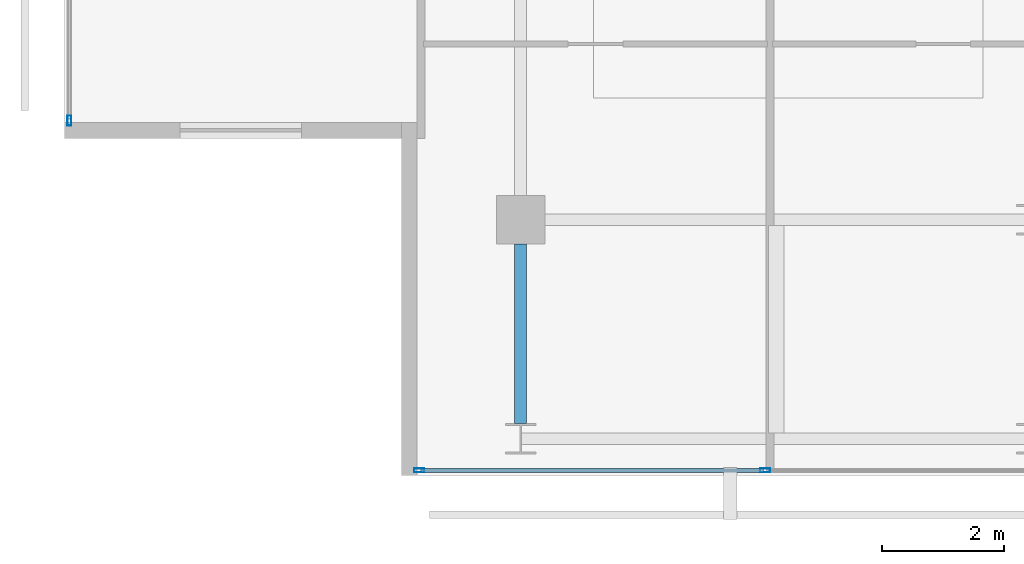
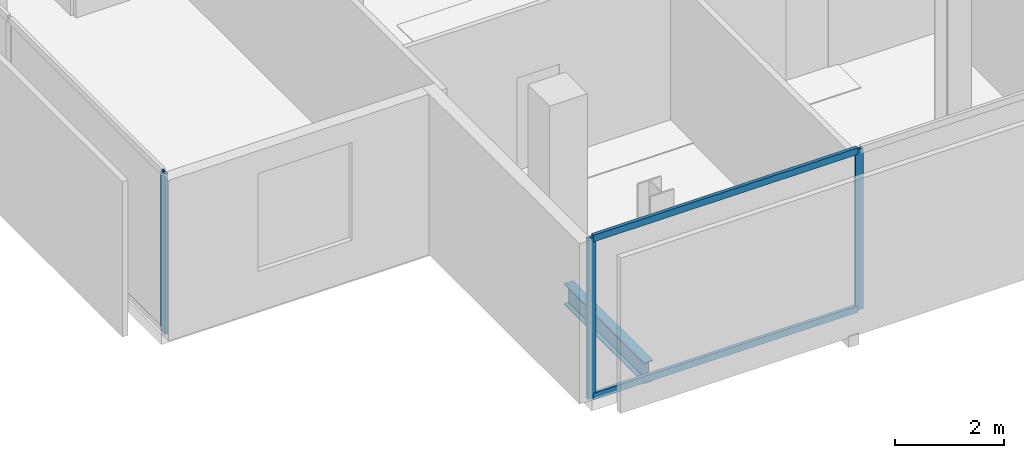
# One storey, part 2 of 24: 5 members, 1 beam, 2 elements without a shape of their own.
"""IFC4 building model written with IfcOpenShell, lengths in metres."""

from ifc_helpers import new_model, si_unit, direction, frame, origin, origin_2d, place, context, subcontext, project, spatial, hollow_rectangle, i_section, extrude, material, layer, layer_set, material_profile, profile_set, type_object, element, aggregate, save


model = new_model("IFC4")

# Units and contexts
model_context = context("Model", 3, precision=1e-05, world=origin(), true_north=direction((0.0, 1.0)))
body_context = subcontext(model_context, "Body", "Model", "MODEL_VIEW")
ifc_project = project(units=[si_unit("LENGTHUNIT", "METRE"), si_unit("AREAUNIT", "SQUARE_METRE"), si_unit("VOLUMEUNIT", "CUBIC_METRE"), si_unit("PLANEANGLEUNIT", "RADIAN"), si_unit("MASSUNIT", "GRAM", prefix="KILO")], contexts=[model_context])

# Site, building, storey
site_placement = place(None, origin())
site = spatial("IfcSite", under=ifc_project, at=site_placement, CompositionType="ELEMENT")
building_placement = place(site_placement, origin())
building = spatial("IfcBuilding", under=site, at=building_placement, Name="Maruvema Waterfront Hotel and Observation Tower", CompositionType="ELEMENT")
storey_placement = place(building_placement, frame((0.0, 0.0, 325.85009765625)))
storey = spatial("IfcBuildingStorey", under=building, at=storey_placement, Name="L80", CompositionType="ELEMENT", Elevation=325.85009765625)

# Curtain wall, members
ifc_material_1 = material(Name="Anodised bronze aluminium and solar-control low-E IGU", Category="aluminium")
ifc_layer = layer(ifc_material_1, 0.159912109375, Name="Zone 4 Sky Residence Inner Curtain Wall System CW-05")
ifc_layer_set = layer_set([ifc_layer], Name="Anodised bronze aluminium and solar-control low-E IGU")
curtain_wall_type = type_object("IfcCurtainWallType", Name="Zone 4 Sky Residence Inner Curtain Wall System CW-05", PredefinedType="USERDEFINED", material=ifc_layer_set)
curtain_wall_1_placement = place(storey_placement, origin())
curtain_wall_1 = element("IfcCurtainWall", 1, at=curtain_wall_1_placement, inside=storey, type_object=curtain_wall_type, Name="L80 Curtain Wall CW-L80-S", ObjectType="UNITISED CURTAIN WALL", PredefinedType="USERDEFINED")
ifc_material_2 = material(Name="Anodised architectural bronze aluminium", Category="aluminium")
ifc_material_profile_1 = material_profile(ifc_material_2, hollow_rectangle(XDim=0.070068359375, YDim=0.14990234375, WallThickness=0.00390625, at=origin_2d()), Name="ALU-T70x150")
ifc_profile_set_1 = profile_set([ifc_material_profile_1], Name="Anodised architectural bronze aluminium")
member_type_1 = type_object("IfcMemberType", Name="Curtain Wall Horizontal Transom ALU-T70x150", PredefinedType="USERDEFINED", material=ifc_profile_set_1)
member_1_placement = place(storey_placement, frame((23.56005859375, 13.8798828125, 0.02978515625), z_axis=(1.0, 0.0, 0.0), x_axis=(0.0, 1.0, 0.0)))
member_1 = element("IfcMember", 2, at=member_1_placement, type_object=member_type_1, Name="CW-05 transom 1.1", ObjectType="TRANSOM", PredefinedType="USERDEFINED", context=body_context, shape_type="SweptSolid", body=[
    extrude(hollow_rectangle(XDim=0.070068359375, YDim=0.14990234375, WallThickness=0.00390625, at=origin_2d()), origin(), (0.0, 0.0, 1.0), 5.6298828125),
])
member_2_placement = place(storey_placement, frame((23.56005859375, 13.8798828125, 3.579833984375), z_axis=(1.0, 0.0, 0.0), x_axis=(0.0, 1.0, 0.0)))
member_2 = element("IfcMember", 3, at=member_2_placement, type_object=member_type_1, Name="CW-05 transom 1.2", ObjectType="TRANSOM", PredefinedType="USERDEFINED", context=body_context, shape_type="SweptSolid", body=[
    extrude(hollow_rectangle(XDim=0.070068359375, YDim=0.14990234375, WallThickness=0.00390625, at=origin_2d()), origin(), (0.0, 0.0, 1.0), 5.6298828125),
])
ifc_material_3 = material(Name="Anodised architectural bronze aluminium", Category="aluminium")
ifc_material_profile_2 = material_profile(ifc_material_3, hollow_rectangle(XDim=0.06494140625, YDim=0.1650390625, WallThickness=0.00390625, at=origin_2d()), Name="ALU-M65x165")
ifc_profile_set_2 = profile_set([ifc_material_profile_2], Name="Anodised architectural bronze aluminium")
member_type_2 = type_object("IfcMemberType", Name="Curtain Wall Primary Mullion ALU-M65x165", PredefinedType="MULLION", material=ifc_profile_set_2)
member_3_placement = place(storey_placement, frame((23.530029296875, 13.8798828125, 0.0), z_axis=(0.0, 0.0, 1.0), x_axis=(0.0, 1.0, 0.0)))
member_3 = element("IfcMember", 4, at=member_3_placement, type_object=member_type_2, Name="CW-05 mullion 1", PredefinedType="MULLION", context=body_context, shape_type="SweptSolid", body=[
    extrude(hollow_rectangle(XDim=0.06494140625, YDim=0.1650390625, WallThickness=0.00390625, at=origin_2d()), origin(), (0.0, 0.0, 1.0), 3.60986328125),
])
member_4_placement = place(storey_placement, frame((29.219970703125, 13.8798828125, 0.0), z_axis=(0.0, 0.0, 1.0), x_axis=(0.0, 1.0, 0.0)))
member_4 = element("IfcMember", 5, at=member_4_placement, type_object=member_type_2, Name="CW-05 mullion 2", PredefinedType="MULLION", context=body_context, shape_type="SweptSolid", body=[
    extrude(hollow_rectangle(XDim=0.06494140625, YDim=0.1650390625, WallThickness=0.00390625, at=origin_2d()), origin(), (0.0, 0.0, 1.0), 3.60986328125),
])
aggregate(curtain_wall_1, [member_3, member_4, member_1, member_2])

# Curtain wall, member
curtain_wall_2_placement = place(storey_placement, origin())
curtain_wall_2 = element("IfcCurtainWall", 6, at=curtain_wall_2_placement, inside=storey, type_object=curtain_wall_type, Name="L80 Curtain Wall CW-L80-W", ObjectType="UNITISED CURTAIN WALL", PredefinedType="USERDEFINED")
member_5_placement = place(storey_placement, frame((17.780029296875, 19.6298828125, 0.0), z_axis=(0.0, 0.0, 1.0), x_axis=(1.0, 0.0, 0.0)))
member_5 = element("IfcMember", 7, at=member_5_placement, type_object=member_type_2, Name="CW-05 mullion 6", PredefinedType="MULLION", context=body_context, shape_type="SweptSolid", body=[
    extrude(hollow_rectangle(XDim=0.06494140625, YDim=0.1650390625, WallThickness=0.00390625, at=origin_2d()), origin(), (0.0, 0.0, 1.0), 3.60986328125),
])
aggregate(curtain_wall_2, [member_5])

# Beam
ifc_material_4 = material(Name="Steel ASTM A572 Grade 50", Category="steel")
ifc_material_profile_3 = material_profile(ifc_material_4, i_section(OverallWidth=0.194091796875, OverallDepth=0.468994140625, WebThickness=0.0126953125, FlangeThickness=0.0205078125, FilletRadius=0.014892578125, at=origin_2d()), Name="W460x106.0")
ifc_profile_set_3 = profile_set([ifc_material_profile_3], Name="Steel ASTM A572 Grade 50")
beam_type = type_object("IfcBeamType", Name="Primary Floor Girder W460x106.0", PredefinedType="BEAM", material=ifc_profile_set_3)
beam_placement = place(storey_placement, frame((25.199951171875, 14.64990234375, -0.474609375), z_axis=(0.0, 1.0, 0.0), x_axis=(-1.0, 0.0, 0.0)))
element("IfcBeam", 8, at=beam_placement, inside=storey, type_object=beam_type, Name="L80 Floor Girder NS-03", PredefinedType="BEAM", context=body_context, shape_type="SweptSolid", body=[
    extrude(i_section(OverallWidth=0.194091796875, OverallDepth=0.468994140625, WebThickness=0.0126953125, FlangeThickness=0.0205078125, FilletRadius=0.014892578125, at=origin_2d()), origin(), (0.0, 0.0, 1.0), 2.9501953125),
])

save(model, "model.ifc")
